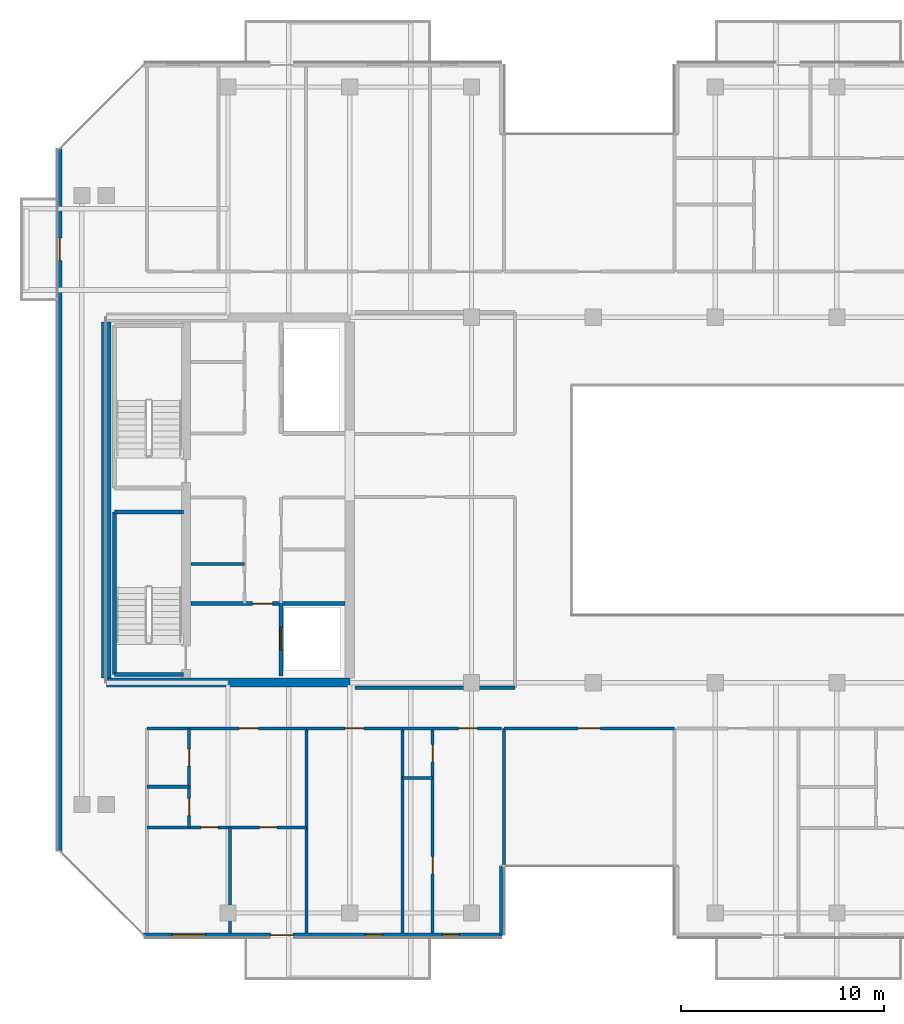
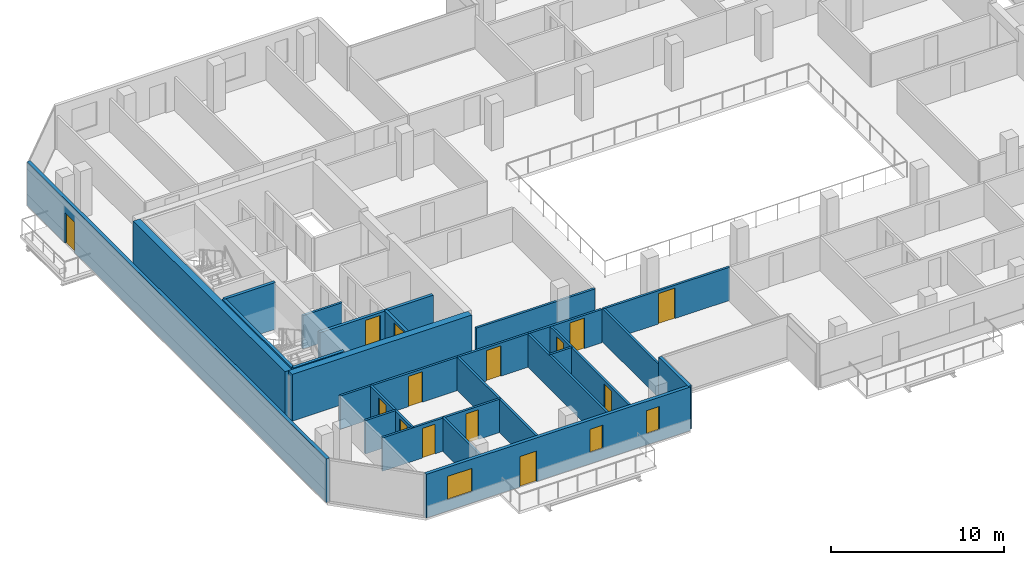
# One storey, part 18 of 28: 25 walls, 14 doors, 3 windows, 17 openings.
"""IFC4 building model written with IfcOpenShell, lengths in metres."""

from ifc_helpers import new_model, si_unit, direction, frame, frame_2d, origin, place, context, subcontext, project, spatial, rectangle, extrude, material, layer, layer_set, type_object, element, fill, save


model = new_model("IFC4")

# Units and contexts
model_context = context("Model", 3, precision=1e-05, world=origin(), true_north=direction((0.0, 1.0)))
body_context = subcontext(model_context, "Body", "Model", "MODEL_VIEW")
ifc_project = project(units=[si_unit("LENGTHUNIT", "METRE"), si_unit("AREAUNIT", "SQUARE_METRE"), si_unit("VOLUMEUNIT", "CUBIC_METRE"), si_unit("PLANEANGLEUNIT", "RADIAN"), si_unit("MASSUNIT", "GRAM", prefix="KILO")], contexts=[model_context])

# Site, building, storey
site_placement = place(None, origin())
site = spatial("IfcSite", under=ifc_project, at=site_placement, CompositionType="ELEMENT")
building_placement = place(site_placement, origin())
building = spatial("IfcBuilding", under=site, at=building_placement, Name="Tanjung Sevakor Pilgrim Tower", CompositionType="ELEMENT")
storey_placement = place(building_placement, frame((0.0, 0.0, 185.1298828125)))
storey = spatial("IfcBuildingStorey", under=building, at=storey_placement, Name="L51", CompositionType="ELEMENT", Elevation=185.1298828125)

# Walls
ifc_material_1 = material(Name="Concrete C60/75", Category="concrete")
ifc_layer_1 = layer(ifc_material_1, 0.449951171875)
ifc_layer_set_1 = layer_set([ifc_layer_1], Name="WALL-CW-450")
wall_type_1 = type_object("IfcWallType", Name="WALL-CW-450", PredefinedType="SHEAR", material=ifc_layer_set_1)
wall_1_placement = place(storey_placement, frame((24.0, 24.60009765625, 0.0), z_axis=(0.0, 0.0, 1.0), x_axis=(1.0, 0.0, 0.0)))
element("IfcWall", 1, at=wall_1_placement, inside=storey, type_object=wall_type_1, Name="L51 W Core South Shear Wall", PredefinedType="SHEAR", context=body_context, shape_type="SweptSolid", body=[
    extrude(rectangle(XDim=12.0, YDim=0.449951171875, at=frame_2d((6.0, 0.0))), origin(), (0.0, 0.0, 1.0), 3.300048828125),
])
wall_2_placement = place(storey_placement, frame((24.0, 24.824951171875, 0.0), z_axis=(0.0, 0.0, 1.0), x_axis=(0.0, 1.0, 0.0)))
element("IfcWall", 2, at=wall_2_placement, inside=storey, type_object=wall_type_1, Name="L51 W Core Outer Shear Wall", PredefinedType="SHEAR", context=body_context, shape_type="SweptSolid", body=[
    extrude(rectangle(XDim=17.550048828125, YDim=0.449951171875, at=frame_2d((8.77490234375, 0.0))), origin(), (0.0, 0.0, 1.0), 3.300048828125),
])
ifc_material_2 = material(Name="Concrete C40/50", Category="concrete")
ifc_layer_2 = layer(ifc_material_2, 0.14990234375)
ifc_layer_set_2 = layer_set([ifc_layer_2], Name="WT-COMP-150")
wall_type_2 = type_object("IfcWallType", Name="WT-COMP-150", PredefinedType="SOLIDWALL", material=ifc_layer_set_2)
wall_3_placement = place(storey_placement, frame((28.169921875, 30.449951171875, 0.0), z_axis=(0.0, 0.0, 1.0), x_axis=(1.0, 0.0, 0.0)))
element("IfcWall", 3, at=wall_3_placement, inside=storey, type_object=wall_type_2, Name="L51 Partition IW-L51-003", PredefinedType="SOLIDWALL", context=body_context, shape_type="SweptSolid", body=[
    extrude(rectangle(XDim=2.630126953125, YDim=0.14990234375, at=frame_2d((1.31494140625, 0.0))), origin(), (0.0, 0.0, 1.0), 2.35009765625),
])
wall_4_placement = place(storey_placement, frame((36.2451171875, 24.35009765625, 0.0), z_axis=(0.0, 0.0, 1.0), x_axis=(1.0, 0.0, 0.0)))
element("IfcWall", 4, at=wall_4_placement, inside=storey, type_object=wall_type_2, Name="L51 Partition IW-L51-027", PredefinedType="SOLIDWALL", context=body_context, shape_type="SweptSolid", body=[
    extrude(rectangle(XDim=7.90478515625, YDim=0.14990234375, at=frame_2d((3.952392578125, 0.0))), origin(), (0.0, 0.0, 1.0), 2.35009765625),
])

# Wall, opening, door
wall_5_placement = place(storey_placement, frame((43.60009765625, 22.35009765625, 0.0), z_axis=(0.0, 0.0, 1.0), x_axis=(1.0, 0.0, 0.0)))
wall_5 = element("IfcWall", 5, at=wall_5_placement, inside=storey, type_object=wall_type_2, Name="L51 Partition IW-L51-039", PredefinedType="SOLIDWALL", context=body_context, shape_type="SweptSolid", body=[
    extrude(rectangle(XDim=8.39990234375, YDim=0.14990234375, at=frame_2d((4.199951171875, 0.0))), origin(), (0.0, 0.0, 1.0), 2.35009765625),
])
opening_1_placement = place(wall_5_placement, frame((3.64990234375, 0.0, 0.0)))
opening_1 = element("IfcOpeningElement", 6, at=opening_1_placement, cuts=wall_5, Name="Opening ID-RM2", PredefinedType="OPENING", context=body_context, shape_type="SweptSolid", body=[
    extrude(rectangle(XDim=1.10009765625, YDim=2.14990234375, at=frame_2d((0.550048828125, 1.074951171875))), frame((0.0, 0.0849609375, 0.0), z_axis=(0.0, -1.0, 0.0), x_axis=(1.0, 0.0, 0.0)), (0.0, 0.0, 1.0), 0.169921875),
])
ifc_material_3 = material(Name="Hardwood Timber", Category="wood")
door_type_1 = type_object("IfcDoorType", Name="DT-INT-1100", OperationType="NOTDEFINED", PredefinedType="DOOR", material=ifc_material_3)
door_1_placement = place(opening_1_placement, origin())
door_1 = element("IfcDoor", 7, at=door_1_placement, inside=storey, type_object=door_type_1, Name="L51 South Cleft Observatory Door", OperationType="SINGLE_SWING_RIGHT", OverallHeight=2.14990234375, OverallWidth=1.10009765625, PredefinedType="DOOR", context=body_context, shape_type="SweptSolid", body=[
    extrude(rectangle(XDim=1.10009765625, YDim=2.14990234375, at=frame_2d((0.550048828125, 1.074951171875))), frame((0.0, 0.02490234375, 0.0), z_axis=(0.0, -1.0, 0.0), x_axis=(1.0, 0.0, 0.0)), (0.0, 0.0, 1.0), 0.050048828125),
])
fill(opening_1, door_1)

# Walls
for number, where, z_axis, x_axis, name in (
    (8, (43.60009765625, 12.27001953125, 0.0), (0.0, 0.0, 1.0), (0.0, 1.0, 0.0), "L51 Partition IW-L51-040"),
    (9, (33.87646484375, 12.27001953125, 0.0), (0.0, 0.0, 1.0), (0.0, 1.0, 0.0), "L51 Partition IW-L51-046"),
):
    element("IfcWall", number, at=place(storey_placement, frame(where, z_axis=z_axis, x_axis=x_axis)), inside=storey, type_object=wall_type_2, Name=name, PredefinedType="SOLIDWALL", context=body_context, shape_type="SweptSolid", body=[
        extrude(rectangle(XDim=10.080078125, YDim=0.14990234375, at=frame_2d((5.0400390625, 0.0))), origin(), (0.0, 0.0, 1.0), 2.35009765625),
    ])

# Wall, opening, door
wall_6_placement = place(storey_placement, frame((26.0, 22.35009765625, 0.0), z_axis=(0.0, 0.0, 1.0), x_axis=(1.0, 0.0, 0.0)))
wall_6 = element("IfcWall", 10, at=wall_6_placement, inside=storey, type_object=wall_type_2, Name="L51 Partition IW-L51-051", PredefinedType="SOLIDWALL", context=body_context, shape_type="SweptSolid", body=[
    extrude(rectangle(XDim=7.87646484375, YDim=0.14990234375, at=frame_2d((3.938232421875, 0.0))), origin(), (0.0, 0.0, 1.0), 2.35009765625),
])
opening_2_placement = place(wall_6_placement, frame((4.543212890625, 0.0, 0.0)))
opening_2 = element("IfcOpeningElement", 11, at=opening_2_placement, cuts=wall_6, Name="Opening ID-FD2", PredefinedType="OPENING", context=body_context, shape_type="SweptSolid", body=[
    extrude(rectangle(XDim=0.949951171875, YDim=2.14990234375, at=frame_2d((0.47509765625, 1.074951171875))), frame((0.0, 0.0849609375, 0.0), z_axis=(0.0, -1.0, 0.0), x_axis=(1.0, 0.0, 0.0)), (0.0, 0.0, 1.0), 0.169921875),
])
ifc_material_4 = material(Name="Fire-Rated Timber", Category="wood")
door_type_2 = type_object("IfcDoorType", Name="DT-FIRE-950", OperationType="NOTDEFINED", PredefinedType="DOOR", material=ifc_material_4)
door_2_placement = place(opening_2_placement, origin())
door_2 = element("IfcDoor", 12, at=door_2_placement, inside=storey, type_object=door_type_2, Name="Suite Entrance", OperationType="SINGLE_SWING_RIGHT", OverallHeight=2.14990234375, OverallWidth=0.949951171875, PredefinedType="DOOR", context=body_context, shape_type="SweptSolid", body=[
    extrude(rectangle(XDim=0.949951171875, YDim=2.14990234375, at=frame_2d((0.47509765625, 1.074951171875))), frame((0.0, 0.02490234375, 0.0), z_axis=(0.0, -1.0, 0.0), x_axis=(1.0, 0.0, 0.0)), (0.0, 0.0, 1.0), 0.050048828125),
])
fill(opening_2, door_2)

# Wall
wall_7_placement = place(storey_placement, frame((38.593994140625, 12.27001953125, 0.0), z_axis=(0.0, 0.0, 1.0), x_axis=(0.0, 1.0, 0.0)))
element("IfcWall", 13, at=wall_7_placement, inside=storey, type_object=wall_type_2, Name="L51 Partition IW-L51-052", PredefinedType="SOLIDWALL", context=body_context, shape_type="SweptSolid", body=[
    extrude(rectangle(XDim=10.080078125, YDim=0.14990234375, at=frame_2d((5.0400390625, 0.0))), origin(), (0.0, 0.0, 1.0), 2.35009765625),
])

# Wall, opening, door
wall_8_placement = place(storey_placement, frame((33.87646484375, 22.35009765625, 0.0), z_axis=(0.0, 0.0, 1.0), x_axis=(1.0, 0.0, 0.0)))
wall_8 = element("IfcWall", 14, at=wall_8_placement, inside=storey, type_object=wall_type_2, Name="L51 Partition IW-L51-053", PredefinedType="SOLIDWALL", context=body_context, shape_type="SweptSolid", body=[
    extrude(rectangle(XDim=4.717529296875, YDim=0.14990234375, at=frame_2d((2.35888671875, 0.0))), origin(), (0.0, 0.0, 1.0), 2.35009765625),
])
opening_3_placement = place(wall_8_placement, frame((1.8837890625, 0.0, 0.0)))
opening_3 = element("IfcOpeningElement", 15, at=opening_3_placement, cuts=wall_8, Name="Opening ID-FD2", PredefinedType="OPENING", context=body_context, shape_type="SweptSolid", body=[
    extrude(rectangle(XDim=0.949951171875, YDim=2.14990234375, at=frame_2d((0.47509765625, 1.074951171875))), frame((0.0, 0.0849609375, 0.0), z_axis=(0.0, -1.0, 0.0), x_axis=(1.0, 0.0, 0.0)), (0.0, 0.0, 1.0), 0.169921875),
])
door_3_placement = place(opening_3_placement, origin())
door_3 = element("IfcDoor", 16, at=door_3_placement, inside=storey, type_object=door_type_2, Name="Study Room Entrance", OperationType="SINGLE_SWING_LEFT", OverallHeight=2.14990234375, OverallWidth=0.949951171875, PredefinedType="DOOR", context=body_context, shape_type="SweptSolid", body=[
    extrude(rectangle(XDim=0.949951171875, YDim=2.14990234375, at=frame_2d((0.47509765625, 1.074951171875))), frame((0.0, 0.02490234375, 0.0), z_axis=(0.0, -1.0, 0.0), x_axis=(1.0, 0.0, 0.0)), (0.0, 0.0, 1.0), 0.050048828125),
])
fill(opening_3, door_3)

wall_9_placement = place(storey_placement, frame((38.593994140625, 22.35009765625, 0.0), z_axis=(0.0, 0.0, 1.0), x_axis=(1.0, 0.0, 0.0)))
wall_9 = element("IfcWall", 17, at=wall_9_placement, inside=storey, type_object=wall_type_2, Name="L51 Partition IW-L51-056", PredefinedType="SOLIDWALL", context=body_context, shape_type="SweptSolid", body=[
    extrude(rectangle(XDim=4.885986328125, YDim=0.14990234375, at=frame_2d((2.44287109375, 0.0))), origin(), (0.0, 0.0, 1.0), 2.35009765625),
])
opening_4_placement = place(wall_9_placement, frame((2.7509765625, 0.0, 0.0)))
opening_4 = element("IfcOpeningElement", 18, at=opening_4_placement, cuts=wall_9, Name="Opening ID-FD2", PredefinedType="OPENING", context=body_context, shape_type="SweptSolid", body=[
    extrude(rectangle(XDim=0.949951171875, YDim=2.14990234375, at=frame_2d((0.47509765625, 1.074951171875))), frame((0.0, 0.0849609375, 0.0), z_axis=(0.0, -1.0, 0.0), x_axis=(1.0, 0.0, 0.0)), (0.0, 0.0, 1.0), 0.169921875),
])
door_4_placement = place(opening_4_placement, origin())
door_4 = element("IfcDoor", 19, at=door_4_placement, inside=storey, type_object=door_type_2, Name="Hostel Quad Entrance", OperationType="SINGLE_SWING_RIGHT", OverallHeight=2.14990234375, OverallWidth=0.949951171875, PredefinedType="DOOR", context=body_context, shape_type="SweptSolid", body=[
    extrude(rectangle(XDim=0.949951171875, YDim=2.14990234375, at=frame_2d((0.47509765625, 1.074951171875))), frame((0.0, 0.02490234375, 0.0), z_axis=(0.0, -1.0, 0.0), x_axis=(1.0, 0.0, 0.0)), (0.0, 0.0, 1.0), 0.050048828125),
])
fill(opening_4, door_4)

# Wall, openings, door, windows
ifc_material_5 = material(Name="Precast concrete C45/55", Category="concrete")
ifc_layer_3 = layer(ifc_material_5, 0.219970703125)
ifc_layer_set_3 = layer_set([ifc_layer_3], Name="WT-EW-STN4")
wall_type_3 = type_object("IfcWallType", Name="WT-EW-STN4", PredefinedType="SOLIDWALL", material=ifc_layer_set_3)
wall_10_placement = place(storey_placement, frame((25.845703125, 12.159912109375, 0.0), z_axis=(0.0, 0.0, 1.0), x_axis=(1.0, 0.0, 0.0)))
wall_10 = element("IfcWall", 20, at=wall_10_placement, inside=storey, type_object=wall_type_3, Name="L51 MAIN Exterior Wall 1", PredefinedType="SOLIDWALL", context=body_context, shape_type="SweptSolid", body=[
    extrude(rectangle(XDim=17.644287109375, YDim=0.219970703125, at=frame_2d((8.822265625, 0.0))), origin(), (0.0, 0.0, 1.0), 3.080078125),
])
opening_5_placement = place(wall_10_placement, frame((6.25439453125, 0.0, 0.0)))
opening_5 = element("IfcOpeningElement", 21, at=opening_5_placement, cuts=wall_10, Name="Opening ED-BAL-1100", PredefinedType="OPENING", context=body_context, shape_type="SweptSolid", body=[
    extrude(rectangle(XDim=1.10009765625, YDim=2.14990234375, at=frame_2d((0.550048828125, 1.074951171875))), frame((0.0, 0.119873046875, 0.0), z_axis=(0.0, -1.0, 0.0), x_axis=(1.0, 0.0, 0.0)), (0.0, 0.0, 1.0), 0.239990234375),
])
opening_6_placement = place(wall_10_placement, frame((1.38720703125, 0.0, 0.780029296875)))
opening_6 = element("IfcOpeningElement", 22, at=opening_6_placement, cuts=wall_10, Name="Opening WN-Z4-1660", PredefinedType="OPENING", context=body_context, shape_type="SweptSolid", body=[
    extrude(rectangle(XDim=1.64990234375, YDim=1.659912109375, at=frame_2d((0.824951171875, 0.830078125))), frame((0.0, 0.119873046875, 0.0), z_axis=(0.0, -1.0, 0.0), x_axis=(1.0, 0.0, 0.0)), (0.0, 0.0, 1.0), 0.239990234375),
])
opening_7_placement = place(wall_10_placement, frame((10.924560546875, 0.0, 0.780029296875)))
opening_7 = element("IfcOpeningElement", 23, at=opening_7_placement, cuts=wall_10, Name="Opening WN-SLM", PredefinedType="OPENING", context=body_context, shape_type="SweptSolid", body=[
    extrude(rectangle(XDim=0.85009765625, YDim=1.64990234375, at=frame_2d((0.425048828125, 0.824951171875))), frame((0.0, 0.119873046875, 0.0), z_axis=(0.0, -1.0, 0.0), x_axis=(1.0, 0.0, 0.0)), (0.0, 0.0, 1.0), 0.239990234375),
])
opening_8_placement = place(wall_10_placement, frame((14.699462890625, 0.0, 0.780029296875)))
opening_8 = element("IfcOpeningElement", 24, at=opening_8_placement, cuts=wall_10, Name="Opening WN-SLM", PredefinedType="OPENING", context=body_context, shape_type="SweptSolid", body=[
    extrude(rectangle(XDim=0.85009765625, YDim=1.64990234375, at=frame_2d((0.425048828125, 0.824951171875))), frame((0.0, 0.119873046875, 0.0), z_axis=(0.0, -1.0, 0.0), x_axis=(1.0, 0.0, 0.0)), (0.0, 0.0, 1.0), 0.239990234375),
])
ifc_material_6 = material(Name="Anodised Aluminium and Laminated Glass", Category="aluminium")
door_type_3 = type_object("IfcDoorType", Name="DTYP-ED-BAL-1100", OperationType="NOTDEFINED", PredefinedType="DOOR", material=ifc_material_6)
door_5_placement = place(opening_5_placement, frame((1.10009765625, 0.0, 0.0), z_axis=(0.0, 0.0, 1.0), x_axis=(-1.0, 0.0, 0.0)))
door_5 = element("IfcDoor", 25, at=door_5_placement, inside=storey, type_object=door_type_3, Name="L51 Balcony Door MAIN-S1", OperationType="SINGLE_SWING_LEFT", OverallHeight=2.14990234375, OverallWidth=1.10009765625, PredefinedType="DOOR", context=body_context, shape_type="SweptSolid", body=[
    extrude(rectangle(XDim=1.10009765625, YDim=2.14990234375, at=frame_2d((0.550048828125, 1.074951171875))), frame((0.0, 0.02490234375, 0.0), z_axis=(0.0, -1.0, 0.0), x_axis=(1.0, 0.0, 0.0)), (0.0, 0.0, 1.0), 0.050048828125),
])
fill(opening_5, door_5)
ifc_material_7 = material(Name="Thermally Broken Aluminium and Low-E Glass", Category="aluminium")
window_type_1 = type_object("IfcWindowType", Name="WTYP-WN-SLM", PartitioningType="SINGLE_PANEL", PredefinedType="WINDOW", material=ifc_material_7)
window_1_placement = place(opening_7_placement, origin())
window_1 = element("IfcWindow", 26, at=window_1_placement, inside=storey, type_object=window_type_1, Name="L51 Facade Window 02", OverallHeight=1.64990234375, OverallWidth=0.85009765625, PartitioningType="SINGLE_PANEL", PredefinedType="WINDOW", context=body_context, shape_type="SweptSolid", body=[
    extrude(rectangle(XDim=0.85009765625, YDim=1.64990234375, at=frame_2d((0.425048828125, 0.824951171875))), frame((0.0, 0.030029296875, 0.0), z_axis=(0.0, -1.0, 0.0), x_axis=(1.0, 0.0, 0.0)), (0.0, 0.0, 1.0), 0.06005859375),
])
fill(opening_7, window_1)
window_2_placement = place(opening_8_placement, origin())
window_2 = element("IfcWindow", 27, at=window_2_placement, inside=storey, type_object=window_type_1, Name="L51 Facade Window 03", OverallHeight=1.64990234375, OverallWidth=0.85009765625, PartitioningType="SINGLE_PANEL", PredefinedType="WINDOW", context=body_context, shape_type="SweptSolid", body=[
    extrude(rectangle(XDim=0.85009765625, YDim=1.64990234375, at=frame_2d((0.425048828125, 0.824951171875))), frame((0.0, 0.030029296875, 0.0), z_axis=(0.0, -1.0, 0.0), x_axis=(1.0, 0.0, 0.0)), (0.0, 0.0, 1.0), 0.06005859375),
])
fill(opening_8, window_2)
ifc_material_8 = material(Name="Thermally Broken Aluminium and Low-E Glass", Category="aluminium")
window_type_2 = type_object("IfcWindowType", Name="WTYP-WN-Z4-1660", PartitioningType="DOUBLE_PANEL_VERTICAL", PredefinedType="WINDOW", material=ifc_material_8)
window_3_placement = place(opening_6_placement, origin())
window_3 = element("IfcWindow", 28, at=window_3_placement, inside=storey, type_object=window_type_2, Name="L51 Facade Window 01", OverallHeight=1.659912109375, OverallWidth=1.64990234375, PartitioningType="SINGLE_PANEL", PredefinedType="WINDOW", context=body_context, shape_type="SweptSolid", body=[
    extrude(rectangle(XDim=1.64990234375, YDim=1.659912109375, at=frame_2d((0.824951171875, 0.830078125))), frame((0.0, 0.030029296875, 0.0), z_axis=(0.0, -1.0, 0.0), x_axis=(1.0, 0.0, 0.0)), (0.0, 0.0, 1.0), 0.06005859375),
])
fill(opening_6, window_3)

# Wall
wall_11_placement = place(storey_placement, frame((43.489990234375, 12.159912109375, 0.0), z_axis=(0.0, 0.0, 1.0), x_axis=(0.0, 1.0, 0.0)))
element("IfcWall", 29, at=wall_11_placement, inside=storey, type_object=wall_type_3, Name="L51 MAIN Exterior Wall 2", PredefinedType="SOLIDWALL", context=body_context, shape_type="SweptSolid", body=[
    extrude(rectangle(XDim=3.400146484375, YDim=0.219970703125, at=frame_2d((1.7001953125, 0.0))), origin(), (0.0, 0.0, 1.0), 3.080078125),
])

# Wall, opening, door
wall_12_placement = place(storey_placement, frame((21.7099609375, 50.904296875, 0.0), z_axis=(0.0, 0.0, 1.0), x_axis=(0.0, -1.0, 0.0)))
wall_12 = element("IfcWall", 30, at=wall_12_placement, inside=storey, type_object=wall_type_3, Name="L51 MAIN Exterior Wall 15", PredefinedType="SOLIDWALL", context=body_context, shape_type="SweptSolid", body=[
    extrude(rectangle(XDim=34.608642578125, YDim=0.219970703125, at=frame_2d((17.30419921875, 0.0))), origin(), (0.0, 0.0, 1.0), 3.080078125),
])
opening_9_placement = place(wall_12_placement, frame((4.404296875, 0.0, 0.0)))
opening_9 = element("IfcOpeningElement", 31, at=opening_9_placement, cuts=wall_12, Name="Opening ED-BAL-1100", PredefinedType="OPENING", context=body_context, shape_type="SweptSolid", body=[
    extrude(rectangle(XDim=1.10009765625, YDim=2.14990234375, at=frame_2d((0.550048828125, 1.074951171875))), frame((0.0, 0.119873046875, 0.0), z_axis=(0.0, -1.0, 0.0), x_axis=(1.0, 0.0, 0.0)), (0.0, 0.0, 1.0), 0.239990234375),
])
door_6_placement = place(opening_9_placement, frame((1.10009765625, 0.0, 0.0), z_axis=(0.0, 0.0, 1.0), x_axis=(-1.0, 0.0, 0.0)))
door_6 = element("IfcDoor", 32, at=door_6_placement, inside=storey, type_object=door_type_3, Name="L51 West Loggia Door MAIN-W1", OperationType="SINGLE_SWING_RIGHT", OverallHeight=2.14990234375, OverallWidth=1.10009765625, PredefinedType="DOOR", context=body_context, shape_type="SweptSolid", body=[
    extrude(rectangle(XDim=1.10009765625, YDim=2.14990234375, at=frame_2d((0.550048828125, 1.074951171875))), frame((0.0, 0.02490234375, 0.0), z_axis=(0.0, -1.0, 0.0), x_axis=(1.0, 0.0, 0.0)), (0.0, 0.0, 1.0), 0.050048828125),
])
fill(opening_9, door_6)

# Walls
ifc_material_9 = material(Name="Concrete C40/50", Category="concrete")
ifc_layer_4 = layer(ifc_material_9, 0.199951171875)
ifc_layer_set_4 = layer_set([ifc_layer_4], Name="WT-FIRE-200")
wall_type_4 = type_object("IfcWallType", Name="WT-FIRE-200", PredefinedType="SOLIDWALL", material=ifc_layer_set_4)
for number, where, z_axis, x_axis, name in (
    (33, (24.39990234375, 25.0, 0.0), (0.0, 0.0, 1.0), (1.0, 0.0, 0.0), "L51 TS-W1 Shaft Wall 1"),
    (34, (27.800048828125, 33.0, 0.0), (0.0, 0.0, 1.0), (-1.0, 0.0, 0.0), "L51 TS-W1 Shaft Wall 2"),
):
    element("IfcWall", number, at=place(storey_placement, frame(where, z_axis=z_axis, x_axis=x_axis)), inside=storey, type_object=wall_type_4, Name=name, PredefinedType="SOLIDWALL", context=body_context, shape_type="SweptSolid", body=[
        extrude(rectangle(XDim=3.400146484375, YDim=0.199951171875, at=frame_2d((1.7001953125, 0.0))), origin(), (0.0, 0.0, 1.0), 3.300048828125),
    ])
wall_13_placement = place(storey_placement, frame((24.39990234375, 33.0, 0.0), z_axis=(0.0, 0.0, 1.0), x_axis=(0.0, -1.0, 0.0)))
element("IfcWall", 35, at=wall_13_placement, inside=storey, type_object=wall_type_4, Name="L51 TS-W1 Shaft Wall 3", PredefinedType="SOLIDWALL", context=body_context, shape_type="SweptSolid", body=[
    extrude(rectangle(XDim=8.0, YDim=0.199951171875, at=frame_2d((4.0, 0.0))), origin(), (0.0, 0.0, 1.0), 3.300048828125),
])

# Wall, opening, door
ifc_material_10 = material(Name="Concrete C40/50", Category="concrete")
ifc_layer_5 = layer(ifc_material_10, 0.199951171875)
ifc_layer_set_5 = layer_set([ifc_layer_5], Name="WT-FPRT-200")
wall_type_5 = type_object("IfcWallType", Name="WT-FPRT-200", PredefinedType="SOLIDWALL", material=ifc_layer_set_5)
wall_14_placement = place(storey_placement, frame((32.60009765625, 24.919921875, 0.0), z_axis=(0.0, 0.0, 1.0), x_axis=(0.0, 1.0, 0.0)))
wall_14 = element("IfcWall", 36, at=wall_14_placement, inside=storey, type_object=wall_type_5, Name="L51 Partition IW-L51-001", PredefinedType="SOLIDWALL", context=body_context, shape_type="SweptSolid", body=[
    extrude(rectangle(XDim=3.580078125, YDim=0.199951171875, at=frame_2d((1.7900390625, 0.0))), origin(), (0.0, 0.0, 1.0), 2.35009765625),
])
opening_10_placement = place(wall_14_placement, frame((1.300048828125, 0.0, 0.0)))
opening_10 = element("IfcOpeningElement", 37, at=opening_10_placement, cuts=wall_14, Name="Opening LD-1100", PredefinedType="OPENING", context=body_context, shape_type="SweptSolid", body=[
    extrude(rectangle(XDim=1.10009765625, YDim=2.199951171875, at=frame_2d((0.550048828125, 1.10009765625))), frame((0.0, 0.10986328125, 0.0), z_axis=(0.0, -1.0, 0.0), x_axis=(1.0, 0.0, 0.0)), (0.0, 0.0, 1.0), 0.219970703125),
])
ifc_material_11 = material(Name="Brushed Stainless Steel S355J2", Category="steel")
door_type_4 = type_object("IfcDoorType", Name="DT-LIFT-1100", OperationType="SLIDING_TO_LEFT", PredefinedType="DOOR", material=ifc_material_11)
door_7_placement = place(opening_10_placement, origin())
door_7 = element("IfcDoor", 38, at=door_7_placement, inside=storey, type_object=door_type_4, Name="LD-FL-W", OperationType="SLIDING_TO_LEFT", OverallHeight=2.199951171875, OverallWidth=1.10009765625, PredefinedType="DOOR", context=body_context, shape_type="SweptSolid", body=[
    extrude(rectangle(XDim=1.10009765625, YDim=2.199951171875, at=frame_2d((0.550048828125, 1.10009765625))), frame((0.0, 0.02490234375, 0.0), z_axis=(0.0, -1.0, 0.0), x_axis=(1.0, 0.0, 0.0)), (0.0, 0.0, 1.0), 0.050048828125),
])
fill(opening_10, door_7)

wall_15_placement = place(storey_placement, frame((28.169921875, 28.5, 0.0), z_axis=(0.0, 0.0, 1.0), x_axis=(1.0, 0.0, 0.0)))
wall_15 = element("IfcWall", 39, at=wall_15_placement, inside=storey, type_object=wall_type_5, Name="L51 Partition IW-L51-002", PredefinedType="SOLIDWALL", context=body_context, shape_type="SweptSolid", body=[
    extrude(rectangle(XDim=7.5849609375, YDim=0.199951171875, at=frame_2d((3.79248046875, 0.0))), origin(), (0.0, 0.0, 1.0), 2.35009765625),
])
opening_11_placement = place(wall_15_placement, frame((3.030029296875, 0.0, 0.0)))
opening_11 = element("IfcOpeningElement", 40, at=opening_11_placement, cuts=wall_15, Name="Opening ID-FD1", PredefinedType="OPENING", context=body_context, shape_type="SweptSolid", body=[
    extrude(rectangle(XDim=1.0, YDim=2.14990234375, at=frame_2d((0.5, 1.074951171875))), frame((0.0, 0.10986328125, 0.0), z_axis=(0.0, -1.0, 0.0), x_axis=(1.0, 0.0, 0.0)), (0.0, 0.0, 1.0), 0.219970703125),
])
ifc_material_12 = material(Name="Fire-Rated Steel S355J2", Category="steel")
door_type_5 = type_object("IfcDoorType", Name="DT-FIRE-1000", OperationType="NOTDEFINED", PredefinedType="DOOR", material=ifc_material_12)
door_8_placement = place(opening_11_placement, origin())
door_8 = element("IfcDoor", 41, at=door_8_placement, inside=storey, type_object=door_type_5, Name="Fire Lobby Door W", OperationType="SINGLE_SWING_LEFT", OverallHeight=2.14990234375, OverallWidth=1.0, PredefinedType="DOOR", context=body_context, shape_type="SweptSolid", body=[
    extrude(rectangle(XDim=1.0, YDim=2.14990234375, at=frame_2d((0.5, 1.074951171875))), frame((0.0, 0.02490234375, 0.0), z_axis=(0.0, -1.0, 0.0), x_axis=(1.0, 0.0, 0.0)), (0.0, 0.0, 1.0), 0.050048828125),
])
fill(opening_11, door_8)

# Wall
ifc_material_13 = material(Name="Gypsum Board Partition", Category="gypsum board")
ifc_layer_6 = layer(ifc_material_13, 0.14990234375)
ifc_layer_set_6 = layer_set([ifc_layer_6], Name="WT-PART-150")
wall_type_6 = type_object("IfcWallType", Name="WT-PART-150", PredefinedType="PARTITIONING", material=ifc_layer_set_6)
wall_16_placement = place(storey_placement, frame((26.0, 19.470703125, 0.0), z_axis=(0.0, 0.0, 1.0), x_axis=(1.0, 0.0, 0.0)))
element("IfcWall", 42, at=wall_16_placement, inside=storey, type_object=wall_type_6, Name="L51 Partition IW-L51-047", PredefinedType="PARTITIONING", context=body_context, shape_type="SweptSolid", body=[
    extrude(rectangle(XDim=2.080078125, YDim=0.14990234375, at=frame_2d((1.0400390625, 0.0))), origin(), (0.0, 0.0, 1.0), 2.35009765625),
])

# Wall, openings, doors
wall_17_placement = place(storey_placement, frame((28.080078125, 17.469970703125, 0.0), z_axis=(0.0, 0.0, 1.0), x_axis=(0.0, 1.0, 0.0)))
wall_17 = element("IfcWall", 43, at=wall_17_placement, inside=storey, type_object=wall_type_6, Name="L51 Partition IW-L51-048", PredefinedType="PARTITIONING", context=body_context, shape_type="SweptSolid", body=[
    extrude(rectangle(XDim=4.880126953125, YDim=0.14990234375, at=frame_2d((2.43994140625, 0.0))), origin(), (0.0, 0.0, 1.0), 2.35009765625),
])
opening_12_placement = place(wall_17_placement, frame((0.575439453125, 0.0, 0.0)))
opening_12 = element("IfcOpeningElement", 44, at=opening_12_placement, cuts=wall_17, Name="Opening ID-WC1", PredefinedType="OPENING", context=body_context, shape_type="SweptSolid", body=[
    extrude(rectangle(XDim=0.85009765625, YDim=2.10009765625, at=frame_2d((0.425048828125, 1.050048828125))), frame((0.0, 0.0849609375, 0.0), z_axis=(0.0, -1.0, 0.0), x_axis=(1.0, 0.0, 0.0)), (0.0, 0.0, 1.0), 0.169921875),
])
opening_13_placement = place(wall_17_placement, frame((3.015380859375, 0.0, 0.0)))
opening_13 = element("IfcOpeningElement", 45, at=opening_13_placement, cuts=wall_17, Name="Opening ID-WC1", PredefinedType="OPENING", context=body_context, shape_type="SweptSolid", body=[
    extrude(rectangle(XDim=0.85009765625, YDim=2.10009765625, at=frame_2d((0.425048828125, 1.050048828125))), frame((0.0, 0.0849609375, 0.0), z_axis=(0.0, -1.0, 0.0), x_axis=(1.0, 0.0, 0.0)), (0.0, 0.0, 1.0), 0.169921875),
])
ifc_material_14 = material(Name="Moisture-Resistant Timber", Category="wood")
door_type_6 = type_object("IfcDoorType", Name="DT-INT-850", OperationType="NOTDEFINED", PredefinedType="DOOR", material=ifc_material_14)
door_9_placement = place(opening_12_placement, origin())
door_9 = element("IfcDoor", 46, at=door_9_placement, inside=storey, type_object=door_type_6, Name="Suite Bathroom Door", OperationType="SINGLE_SWING_RIGHT", OverallHeight=2.10009765625, OverallWidth=0.85009765625, PredefinedType="DOOR", context=body_context, shape_type="SweptSolid", body=[
    extrude(rectangle(XDim=0.85009765625, YDim=2.10009765625, at=frame_2d((0.425048828125, 1.050048828125))), frame((0.0, 0.02490234375, 0.0), z_axis=(0.0, -1.0, 0.0), x_axis=(1.0, 0.0, 0.0)), (0.0, 0.0, 1.0), 0.050048828125),
])
fill(opening_12, door_9)
door_10_placement = place(opening_13_placement, origin())
door_10 = element("IfcDoor", 47, at=door_10_placement, inside=storey, type_object=door_type_6, Name="Suite Kitchenette Door", OperationType="SINGLE_SWING_LEFT", OverallHeight=2.10009765625, OverallWidth=0.85009765625, PredefinedType="DOOR", context=body_context, shape_type="SweptSolid", body=[
    extrude(rectangle(XDim=0.85009765625, YDim=2.10009765625, at=frame_2d((0.425048828125, 1.050048828125))), frame((0.0, 0.02490234375, 0.0), z_axis=(0.0, -1.0, 0.0), x_axis=(1.0, 0.0, 0.0)), (0.0, 0.0, 1.0), 0.050048828125),
])
fill(opening_13, door_10)

# Wall
wall_18_placement = place(storey_placement, frame((30.095703125, 12.27001953125, 0.0), z_axis=(0.0, 0.0, 1.0), x_axis=(0.0, 1.0, 0.0)))
element("IfcWall", 48, at=wall_18_placement, inside=storey, type_object=wall_type_6, Name="L51 Partition IW-L51-049", PredefinedType="PARTITIONING", context=body_context, shape_type="SweptSolid", body=[
    extrude(rectangle(XDim=5.199951171875, YDim=0.14990234375, at=frame_2d((2.60009765625, 0.0))), origin(), (0.0, 0.0, 1.0), 2.35009765625),
])

# Wall, openings, doors
wall_19_placement = place(storey_placement, frame((26.0, 17.469970703125, 0.0), z_axis=(0.0, 0.0, 1.0), x_axis=(1.0, 0.0, 0.0)))
wall_19 = element("IfcWall", 49, at=wall_19_placement, inside=storey, type_object=wall_type_6, Name="L51 Partition IW-L51-050", PredefinedType="PARTITIONING", context=body_context, shape_type="SweptSolid", body=[
    extrude(rectangle(XDim=7.87646484375, YDim=0.14990234375, at=frame_2d((3.938232421875, 0.0))), origin(), (0.0, 0.0, 1.0), 2.35009765625),
])
opening_14_placement = place(wall_19_placement, frame((2.662841796875, 0.0, 0.0)))
opening_14 = element("IfcOpeningElement", 50, at=opening_14_placement, cuts=wall_19, Name="Opening ID-WC1", PredefinedType="OPENING", context=body_context, shape_type="SweptSolid", body=[
    extrude(rectangle(XDim=0.85009765625, YDim=2.10009765625, at=frame_2d((0.425048828125, 1.050048828125))), frame((0.0, 0.0849609375, 0.0), z_axis=(0.0, -1.0, 0.0), x_axis=(1.0, 0.0, 0.0)), (0.0, 0.0, 1.0), 0.169921875),
])
opening_15_placement = place(wall_19_placement, frame((5.561279296875, 0.0, 0.0)))
opening_15 = element("IfcOpeningElement", 51, at=opening_15_placement, cuts=wall_19, Name="Opening ID-WC1", PredefinedType="OPENING", context=body_context, shape_type="SweptSolid", body=[
    extrude(rectangle(XDim=0.85009765625, YDim=2.10009765625, at=frame_2d((0.425048828125, 1.050048828125))), frame((0.0, 0.0849609375, 0.0), z_axis=(0.0, -1.0, 0.0), x_axis=(1.0, 0.0, 0.0)), (0.0, 0.0, 1.0), 0.169921875),
])
door_11_placement = place(opening_14_placement, origin())
door_11 = element("IfcDoor", 52, at=door_11_placement, inside=storey, type_object=door_type_6, Name="Suite Bedroom 1 Door", OperationType="SINGLE_SWING_RIGHT", OverallHeight=2.10009765625, OverallWidth=0.85009765625, PredefinedType="DOOR", context=body_context, shape_type="SweptSolid", body=[
    extrude(rectangle(XDim=0.85009765625, YDim=2.10009765625, at=frame_2d((0.425048828125, 1.050048828125))), frame((0.0, 0.02490234375, 0.0), z_axis=(0.0, -1.0, 0.0), x_axis=(1.0, 0.0, 0.0)), (0.0, 0.0, 1.0), 0.050048828125),
])
fill(opening_14, door_11)
door_12_placement = place(opening_15_placement, origin())
door_12 = element("IfcDoor", 53, at=door_12_placement, inside=storey, type_object=door_type_6, Name="Suite Bedroom 2 Door", OperationType="SINGLE_SWING_LEFT", OverallHeight=2.10009765625, OverallWidth=0.85009765625, PredefinedType="DOOR", context=body_context, shape_type="SweptSolid", body=[
    extrude(rectangle(XDim=0.85009765625, YDim=2.10009765625, at=frame_2d((0.425048828125, 1.050048828125))), frame((0.0, 0.02490234375, 0.0), z_axis=(0.0, -1.0, 0.0), x_axis=(1.0, 0.0, 0.0)), (0.0, 0.0, 1.0), 0.050048828125),
])
fill(opening_15, door_12)

# Wall
wall_20_placement = place(storey_placement, frame((38.593994140625, 19.89990234375, 0.0), z_axis=(0.0, 0.0, 1.0), x_axis=(1.0, 0.0, 0.0)))
element("IfcWall", 54, at=wall_20_placement, inside=storey, type_object=wall_type_6, Name="L51 Partition IW-L51-054", PredefinedType="PARTITIONING", context=body_context, shape_type="SweptSolid", body=[
    extrude(rectangle(XDim=1.486083984375, YDim=0.14990234375, at=frame_2d((0.7431640625, 0.0))), origin(), (0.0, 0.0, 1.0), 2.35009765625),
])

# Wall, openings, doors
wall_21_placement = place(storey_placement, frame((40.080078125, 12.27001953125, 0.0), z_axis=(0.0, 0.0, 1.0), x_axis=(0.0, 1.0, 0.0)))
wall_21 = element("IfcWall", 55, at=wall_21_placement, inside=storey, type_object=wall_type_6, Name="L51 Partition IW-L51-055", PredefinedType="PARTITIONING", context=body_context, shape_type="SweptSolid", body=[
    extrude(rectangle(XDim=10.080078125, YDim=0.14990234375, at=frame_2d((5.0400390625, 0.0))), origin(), (0.0, 0.0, 1.0), 2.35009765625),
])
opening_16_placement = place(wall_21_placement, frame((2.912109375, 0.0, 0.0)))
opening_16 = element("IfcOpeningElement", 56, at=opening_16_placement, cuts=wall_21, Name="Opening ID-WC1", PredefinedType="OPENING", context=body_context, shape_type="SweptSolid", body=[
    extrude(rectangle(XDim=0.85009765625, YDim=2.10009765625, at=frame_2d((0.425048828125, 1.050048828125))), frame((0.0, 0.0849609375, 0.0), z_axis=(0.0, -1.0, 0.0), x_axis=(1.0, 0.0, 0.0)), (0.0, 0.0, 1.0), 0.169921875),
])
opening_17_placement = place(wall_21_placement, frame((8.429931640625, 0.0, 0.0)))
opening_17 = element("IfcOpeningElement", 57, at=opening_17_placement, cuts=wall_21, Name="Opening ID-WC1", PredefinedType="OPENING", context=body_context, shape_type="SweptSolid", body=[
    extrude(rectangle(XDim=0.85009765625, YDim=2.10009765625, at=frame_2d((0.425048828125, 1.050048828125))), frame((0.0, 0.0849609375, 0.0), z_axis=(0.0, -1.0, 0.0), x_axis=(1.0, 0.0, 0.0)), (0.0, 0.0, 1.0), 0.169921875),
])
door_13_placement = place(opening_16_placement, origin())
door_13 = element("IfcDoor", 58, at=door_13_placement, inside=storey, type_object=door_type_6, Name="Study Nook Door", OperationType="SINGLE_SWING_RIGHT", OverallHeight=2.10009765625, OverallWidth=0.85009765625, PredefinedType="DOOR", context=body_context, shape_type="SweptSolid", body=[
    extrude(rectangle(XDim=0.85009765625, YDim=2.10009765625, at=frame_2d((0.425048828125, 1.050048828125))), frame((0.0, 0.02490234375, 0.0), z_axis=(0.0, -1.0, 0.0), x_axis=(1.0, 0.0, 0.0)), (0.0, 0.0, 1.0), 0.050048828125),
])
fill(opening_16, door_13)
door_14_placement = place(opening_17_placement, origin())
door_14 = element("IfcDoor", 59, at=door_14_placement, inside=storey, type_object=door_type_6, Name="Bathroom Door", OperationType="SINGLE_SWING_LEFT", OverallHeight=2.10009765625, OverallWidth=0.85009765625, PredefinedType="DOOR", context=body_context, shape_type="SweptSolid", body=[
    extrude(rectangle(XDim=0.85009765625, YDim=2.10009765625, at=frame_2d((0.425048828125, 1.050048828125))), frame((0.0, 0.02490234375, 0.0), z_axis=(0.0, -1.0, 0.0), x_axis=(1.0, 0.0, 0.0)), (0.0, 0.0, 1.0), 0.050048828125),
])
fill(opening_17, door_14)

save(model, "model.ifc")
